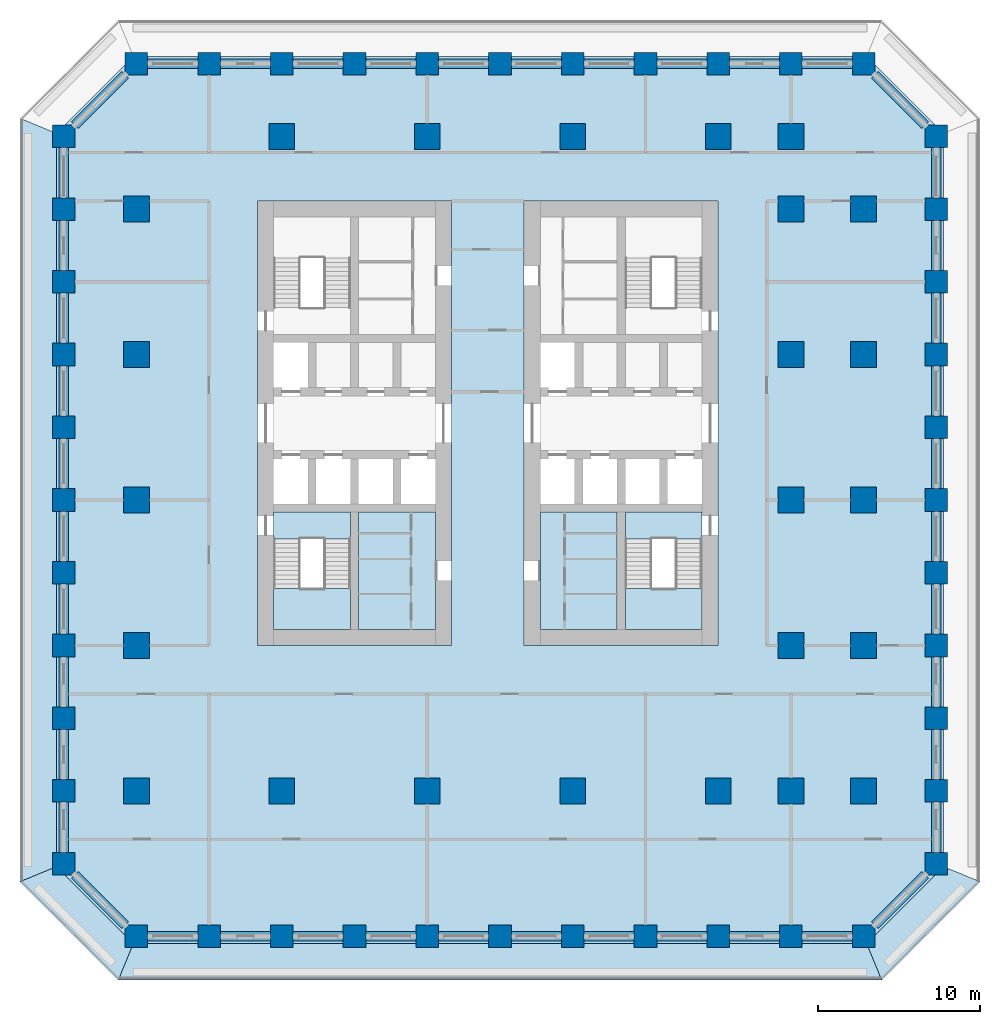
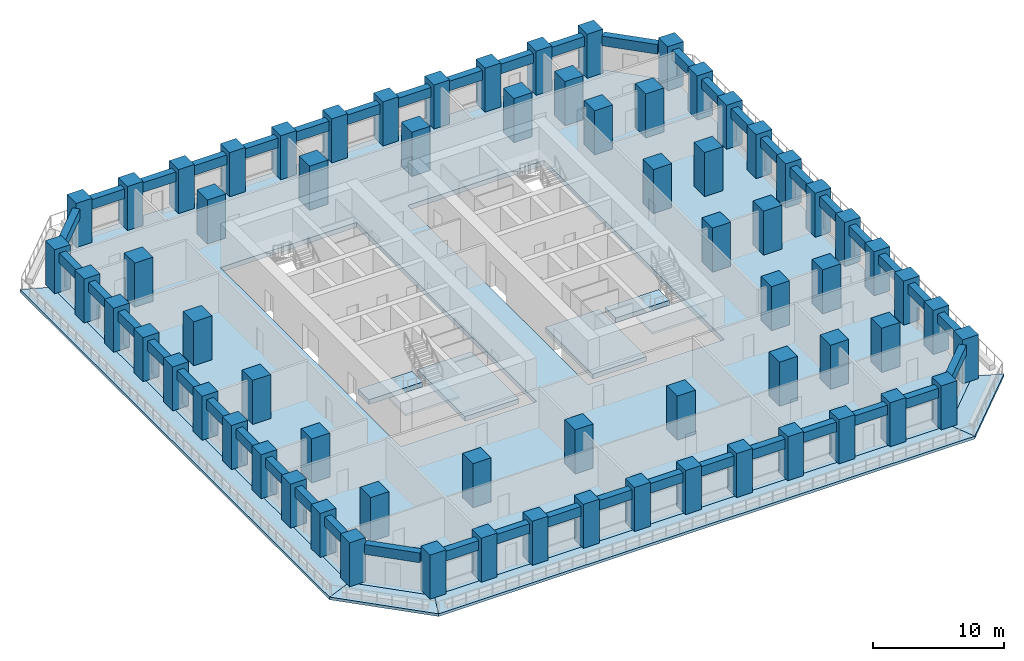
# One storey, part 1 of 11: 68 columns, 44 beams, 11 slabs, 2 elements without a shape of their own.
"""IFC4 building model written with IfcOpenShell, lengths in metres."""

from ifc_helpers import new_model, si_unit, direction, frame, origin, origin_2d, place, context, subcontext, project, spatial, polyline, rectangle, outline, extrude, material, layer, layer_set, material_profile, profile_set, type_object, element, aggregate, save


model = new_model("IFC4")

# Units and contexts
model_context = context("Model", 3, precision=1e-05, world=origin(), true_north=direction((0.0, 1.0)))
body_context = subcontext(model_context, "Body", "Model", "MODEL_VIEW")
ifc_project = project(units=[si_unit("LENGTHUNIT", "METRE"), si_unit("AREAUNIT", "SQUARE_METRE"), si_unit("VOLUMEUNIT", "CUBIC_METRE"), si_unit("PLANEANGLEUNIT", "RADIAN"), si_unit("MASSUNIT", "GRAM", prefix="KILO")], contexts=[model_context])

# Site, building, storey
site_placement = place(None, origin())
site = spatial("IfcSite", under=ifc_project, at=site_placement, CompositionType="ELEMENT")
building_placement = place(site_placement, origin())
building = spatial("IfcBuilding", under=site, at=building_placement, Name="Corbel Stack Research Tower", CompositionType="ELEMENT")
storey_placement = place(building_placement, frame((0.0, 0.0, 54.199951171875)))
storey = spatial("IfcBuildingStorey", under=building, at=storey_placement, Name="L12", CompositionType="ELEMENT", Elevation=54.199951171875)

# Columns
ifc_material_1 = material(Name="Concrete C70/85", Category="concrete")
ifc_material_profile_1 = material_profile(ifc_material_1, rectangle(XDim=1.39990234375, YDim=1.39990234375, at=origin_2d()), Name="RC 1400 x 1400")
ifc_profile_set_1 = profile_set([ifc_material_profile_1], Name="Concrete C70/85")
column_type_1 = type_object("IfcColumnType", Name="C-1400-70", PredefinedType="COLUMN", material=ifc_profile_set_1)
for number, where, z_axis, x_axis, name in (
    (1, (-22.5, -22.5, 0.0), (0.0, 0.0, 1.0), (1.0, 0.0, 0.0), "Column 3/C L12"),
    (2, (-22.5, -18.0, 0.0), (0.0, 0.0, 1.0), (1.0, 0.0, 0.0), "Column 3/D L12"),
    (3, (-22.5, -13.5, 0.0), (0.0, 0.0, 1.0), (1.0, 0.0, 0.0), "Column 3/E L12"),
    (4, (-22.5, -9.0, 0.0), (0.0, 0.0, 1.0), (1.0, 0.0, 0.0), "Column 3/F L12"),
    (5, (-22.5, -4.5, 0.0), (0.0, 0.0, 1.0), (1.0, 0.0, 0.0), "Column 3/G L12"),
    (6, (-22.5, 0.0, 0.0), (0.0, 0.0, 1.0), (1.0, 0.0, 0.0), "Column 3/H L12"),
    (7, (-22.5, 4.5, 0.0), (0.0, 0.0, 1.0), (1.0, 0.0, 0.0), "Column 3/J L12"),
    (8, (-22.5, 9.0, 0.0), (0.0, 0.0, 1.0), (1.0, 0.0, 0.0), "Column 3/K L12"),
    (9, (-22.5, 13.5, 0.0), (0.0, 0.0, 1.0), (1.0, 0.0, 0.0), "Column 3/L L12"),
    (10, (-22.5, 18.0, 0.0), (0.0, 0.0, 1.0), (1.0, 0.0, 0.0), "Column 3/M L12"),
    (11, (-22.5, 22.5, 0.0), (0.0, 0.0, 1.0), (1.0, 0.0, 0.0), "Column 3/N L12"),
    (12, (-18.0, -27.0, 0.0), (0.0, 0.0, 1.0), (1.0, 0.0, 0.0), "Column 4/B L12"),
    (13, (-18.0, 27.0, 0.0), (0.0, 0.0, 1.0), (1.0, 0.0, 0.0), "Column 4/P L12"),
    (14, (-13.5, -27.0, 0.0), (0.0, 0.0, 1.0), (1.0, 0.0, 0.0), "Column 5/B L12"),
    (15, (-13.5, 27.0, 0.0), (0.0, 0.0, 1.0), (1.0, 0.0, 0.0), "Column 5/P L12"),
    (16, (-9.0, -27.0, 0.0), (0.0, 0.0, 1.0), (1.0, 0.0, 0.0), "Column 6/B L12"),
    (17, (-9.0, 27.0, 0.0), (0.0, 0.0, 1.0), (1.0, 0.0, 0.0), "Column 6/P L12"),
    (18, (-4.5, -27.0, 0.0), (0.0, 0.0, 1.0), (1.0, 0.0, 0.0), "Column 7/B L12"),
    (19, (-4.5, 27.0, 0.0), (0.0, 0.0, 1.0), (1.0, 0.0, 0.0), "Column 7/P L12"),
    (20, (0.0, -27.0, 0.0), (0.0, 0.0, 1.0), (1.0, 0.0, 0.0), "Column 8/B L12"),
    (21, (0.0, 27.0, 0.0), (0.0, 0.0, 1.0), (1.0, 0.0, 0.0), "Column 8/P L12"),
    (22, (4.5, -27.0, 0.0), (0.0, 0.0, 1.0), (1.0, 0.0, 0.0), "Column 9/B L12"),
    (23, (4.5, 27.0, 0.0), (0.0, 0.0, 1.0), (1.0, 0.0, 0.0), "Column 9/P L12"),
    (24, (9.0, -27.0, 0.0), (0.0, 0.0, 1.0), (1.0, 0.0, 0.0), "Column 10/B L12"),
    (25, (9.0, 27.0, 0.0), (0.0, 0.0, 1.0), (1.0, 0.0, 0.0), "Column 10/P L12"),
    (26, (13.5, -27.0, 0.0), (0.0, 0.0, 1.0), (1.0, 0.0, 0.0), "Column 11/B L12"),
    (27, (13.5, 27.0, 0.0), (0.0, 0.0, 1.0), (1.0, 0.0, 0.0), "Column 11/P L12"),
    (28, (18.0, -27.0, 0.0), (0.0, 0.0, 1.0), (1.0, 0.0, 0.0), "Column 12/B L12"),
    (29, (18.0, 27.0, 0.0), (0.0, 0.0, 1.0), (1.0, 0.0, 0.0), "Column 12/P L12"),
    (30, (22.5, -27.0, 0.0), (0.0, 0.0, 1.0), (1.0, 0.0, 0.0), "Column 13/B L12"),
    (31, (22.5, 27.0, 0.0), (0.0, 0.0, 1.0), (1.0, 0.0, 0.0), "Column 13/P L12"),
    (32, (27.0, -27.0, 0.0), (0.0, 0.0, 1.0), (1.0, 0.0, 0.0), "Column 14/B L12"),
    (33, (27.0, 27.0, 0.0), (0.0, 0.0, 1.0), (1.0, 0.0, 0.0), "Column 14/P L12"),
    (34, (31.5, -22.5, 0.0), (0.0, 0.0, 1.0), (1.0, 0.0, 0.0), "Column 15/C L12"),
    (35, (31.5, -18.0, 0.0), (0.0, 0.0, 1.0), (1.0, 0.0, 0.0), "Column 15/D L12"),
    (36, (31.5, -13.5, 0.0), (0.0, 0.0, 1.0), (1.0, 0.0, 0.0), "Column 15/E L12"),
    (37, (31.5, -9.0, 0.0), (0.0, 0.0, 1.0), (1.0, 0.0, 0.0), "Column 15/F L12"),
    (38, (31.5, -4.5, 0.0), (0.0, 0.0, 1.0), (1.0, 0.0, 0.0), "Column 15/G L12"),
    (39, (31.5, 0.0, 0.0), (0.0, 0.0, 1.0), (1.0, 0.0, 0.0), "Column 15/H L12"),
    (40, (31.5, 4.5, 0.0), (0.0, 0.0, 1.0), (1.0, 0.0, 0.0), "Column 15/J L12"),
    (41, (31.5, 9.0, 0.0), (0.0, 0.0, 1.0), (1.0, 0.0, 0.0), "Column 15/K L12"),
    (42, (31.5, 13.5, 0.0), (0.0, 0.0, 1.0), (1.0, 0.0, 0.0), "Column 15/L L12"),
    (43, (31.5, 18.0, 0.0), (0.0, 0.0, 1.0), (1.0, 0.0, 0.0), "Column 15/M L12"),
    (44, (31.5, 22.5, 0.0), (0.0, 0.0, 1.0), (1.0, 0.0, 0.0), "Column 15/N L12"),
):
    element("IfcColumn", number, at=place(storey_placement, frame(where, z_axis=z_axis, x_axis=x_axis)), inside=storey, type_object=column_type_1, Name=name, PredefinedType="COLUMN", context=body_context, shape_type="SweptSolid", body=[
        extrude(rectangle(XDim=1.39990234375, YDim=1.39990234375, at=origin_2d()), origin(), (0.0, 0.0, 1.0), 4.10009765625),
    ])
ifc_material_2 = material(Name="Concrete C70/85", Category="concrete")
ifc_material_profile_2 = material_profile(ifc_material_2, rectangle(XDim=1.60009765625, YDim=1.60009765625, at=origin_2d()), Name="RC 1600 x 1600")
ifc_profile_set_2 = profile_set([ifc_material_profile_2], Name="Concrete C70/85")
column_type_2 = type_object("IfcColumnType", Name="C-1600-70", PredefinedType="COLUMN", material=ifc_profile_set_2)
for number, where, z_axis, x_axis, name in (
    (45, (-18.0, -18.0, 0.0), (0.0, 0.0, 1.0), (1.0, 0.0, 0.0), "Column 4/D L12"),
    (46, (-18.0, -9.0, 0.0), (0.0, 0.0, 1.0), (1.0, 0.0, 0.0), "Column 4/F L12"),
    (47, (-18.0, 0.0, 0.0), (0.0, 0.0, 1.0), (1.0, 0.0, 0.0), "Column 4/H L12"),
    (48, (-18.0, 9.0, 0.0), (0.0, 0.0, 1.0), (1.0, 0.0, 0.0), "Column 4/K L12"),
    (49, (-18.0, 18.0, 0.0), (0.0, 0.0, 1.0), (1.0, 0.0, 0.0), "Column 4/M L12"),
    (50, (-9.0, -18.0, 0.0), (0.0, 0.0, 1.0), (1.0, 0.0, 0.0), "Column 6/D L12"),
    (51, (-9.0, 22.5, 0.0), (0.0, 0.0, 1.0), (1.0, 0.0, 0.0), "Column 6/N L12"),
    (52, (0.0, -18.0, 0.0), (0.0, 0.0, 1.0), (1.0, 0.0, 0.0), "Column 8/D L12"),
    (53, (0.0, 22.5, 0.0), (0.0, 0.0, 1.0), (1.0, 0.0, 0.0), "Column 8/N L12"),
    (54, (9.0, -18.0, 0.0), (0.0, 0.0, 1.0), (1.0, 0.0, 0.0), "Column 10/D L12"),
    (55, (9.0, 22.5, 0.0), (0.0, 0.0, 1.0), (1.0, 0.0, 0.0), "Column 10/N L12"),
    (56, (18.0, -18.0, 0.0), (0.0, 0.0, 1.0), (1.0, 0.0, 0.0), "Column 12/D L12"),
    (57, (18.0, 22.5, 0.0), (0.0, 0.0, 1.0), (1.0, 0.0, 0.0), "Column 12/N L12"),
    (58, (22.5, -18.0, 0.0), (0.0, 0.0, 1.0), (1.0, 0.0, 0.0), "Column 13/D L12"),
    (59, (22.5, -9.0, 0.0), (0.0, 0.0, 1.0), (1.0, 0.0, 0.0), "Column 13/F L12"),
    (60, (22.5, 0.0, 0.0), (0.0, 0.0, 1.0), (1.0, 0.0, 0.0), "Column 13/H L12"),
    (61, (22.5, 9.0, 0.0), (0.0, 0.0, 1.0), (1.0, 0.0, 0.0), "Column 13/K L12"),
    (62, (22.5, 18.0, 0.0), (0.0, 0.0, 1.0), (1.0, 0.0, 0.0), "Column 13/M L12"),
    (63, (22.5, 22.5, 0.0), (0.0, 0.0, 1.0), (1.0, 0.0, 0.0), "Column 13/N L12"),
    (64, (27.0, -18.0, 0.0), (0.0, 0.0, 1.0), (1.0, 0.0, 0.0), "Column 14/D L12"),
    (65, (27.0, -9.0, 0.0), (0.0, 0.0, 1.0), (1.0, 0.0, 0.0), "Column 14/F L12"),
    (66, (27.0, 0.0, 0.0), (0.0, 0.0, 1.0), (1.0, 0.0, 0.0), "Column 14/H L12"),
    (67, (27.0, 9.0, 0.0), (0.0, 0.0, 1.0), (1.0, 0.0, 0.0), "Column 14/K L12"),
    (68, (27.0, 18.0, 0.0), (0.0, 0.0, 1.0), (1.0, 0.0, 0.0), "Column 14/M L12"),
):
    element("IfcColumn", number, at=place(storey_placement, frame(where, z_axis=z_axis, x_axis=x_axis)), inside=storey, type_object=column_type_2, Name=name, PredefinedType="COLUMN", context=body_context, shape_type="SweptSolid", body=[
        extrude(rectangle(XDim=1.60009765625, YDim=1.60009765625, at=origin_2d()), origin(), (0.0, 0.0, 1.0), 4.10009765625),
    ])

# Beams
ifc_material_3 = material(Name="Concrete C60/75", Category="concrete")
ifc_material_profile_3 = material_profile(ifc_material_3, rectangle(XDim=0.60009765625, YDim=0.89990234375, at=origin_2d()), Name="RC 600 x 900")
ifc_profile_set_3 = profile_set([ifc_material_profile_3], Name="Concrete C60/75")
beam_type = type_object("IfcBeamType", Name="SB-600-900-450", PredefinedType="SPANDREL", material=ifc_profile_set_3)
for number, where, z_axis, x_axis, name in (
    (69, (-17.300048828125, -27.0, 3.199951171875), (1.0, 0.0, 0.0), (0.0, 1.0, 0.0), "Spandrel beam L12-01"),
    (70, (-12.800048828125, -27.0, 3.199951171875), (1.0, 0.0, 0.0), (0.0, 1.0, 0.0), "Spandrel beam L12-02"),
    (71, (-8.300048828125, -27.0, 3.199951171875), (1.0, 0.0, 0.0), (0.0, 1.0, 0.0), "Spandrel beam L12-03"),
    (72, (-3.800048828125, -27.0, 3.199951171875), (1.0, 0.0, 0.0), (0.0, 1.0, 0.0), "Spandrel beam L12-04"),
    (73, (0.699951171875, -27.0, 3.199951171875), (1.0, 0.0, 0.0), (0.0, 1.0, 0.0), "Spandrel beam L12-05"),
    (74, (5.199951171875, -27.0, 3.199951171875), (1.0, 0.0, 0.0), (0.0, 1.0, 0.0), "Spandrel beam L12-06"),
    (75, (9.699951171875, -27.0, 3.199951171875), (1.0, 0.0, 0.0), (0.0, 1.0, 0.0), "Spandrel beam L12-07"),
    (76, (14.199951171875, -27.0, 3.199951171875), (1.0, 0.0, 0.0), (0.0, 1.0, 0.0), "Spandrel beam L12-08"),
    (77, (18.699951171875, -27.0, 3.199951171875), (1.0, 0.0, 0.0), (0.0, 1.0, 0.0), "Spandrel beam L12-09"),
    (78, (23.199951171875, -27.0, 3.199951171875), (1.0, 0.0, 0.0), (0.0, 1.0, 0.0), "Spandrel beam L12-10"),
):
    element("IfcBeam", number, at=place(storey_placement, frame(where, z_axis=z_axis, x_axis=x_axis)), inside=storey, type_object=beam_type, Name=name, PredefinedType="SPANDREL", context=body_context, shape_type="SweptSolid", body=[
        extrude(rectangle(XDim=0.60009765625, YDim=0.89990234375, at=origin_2d()), origin(), (0.0, 0.0, 1.0), 3.10009765625),
    ])
beam_1_placement = place(storey_placement, frame((27.699951171875, -26.300048828125, 3.199951171875), z_axis=(0.707106781187, 0.707106781187, 0.0), x_axis=(-0.707106781187, 0.707106781187, 0.0)))
element("IfcBeam", 79, at=beam_1_placement, inside=storey, type_object=beam_type, Name="Spandrel beam L12-11", PredefinedType="SPANDREL", context=body_context, shape_type="SweptSolid", body=[
    extrude(rectangle(XDim=0.60009765625, YDim=0.89990234375, at=origin_2d()), origin(), (0.0, 0.0, 1.0), 4.38427734375),
])
for number, where, z_axis, x_axis, name in (
    (80, (31.5, -21.800048828125, 3.199951171875), (0.0, 1.0, 0.0), (-1.0, 0.0, 0.0), "Spandrel beam L12-12"),
    (81, (31.5, -17.300048828125, 3.199951171875), (0.0, 1.0, 0.0), (-1.0, 0.0, 0.0), "Spandrel beam L12-13"),
    (82, (31.5, -12.800048828125, 3.199951171875), (0.0, 1.0, 0.0), (-1.0, 0.0, 0.0), "Spandrel beam L12-14"),
    (83, (31.5, -8.300048828125, 3.199951171875), (0.0, 1.0, 0.0), (-1.0, 0.0, 0.0), "Spandrel beam L12-15"),
    (84, (31.5, -3.800048828125, 3.199951171875), (0.0, 1.0, 0.0), (-1.0, 0.0, 0.0), "Spandrel beam L12-16"),
    (85, (31.5, 0.699951171875, 3.199951171875), (0.0, 1.0, 0.0), (-1.0, 0.0, 0.0), "Spandrel beam L12-17"),
    (86, (31.5, 5.199951171875, 3.199951171875), (0.0, 1.0, 0.0), (-1.0, 0.0, 0.0), "Spandrel beam L12-18"),
    (87, (31.5, 9.699951171875, 3.199951171875), (0.0, 1.0, 0.0), (-1.0, 0.0, 0.0), "Spandrel beam L12-19"),
    (88, (31.5, 14.199951171875, 3.199951171875), (0.0, 1.0, 0.0), (-1.0, 0.0, 0.0), "Spandrel beam L12-20"),
    (89, (31.5, 18.699951171875, 3.199951171875), (0.0, 1.0, 0.0), (-1.0, 0.0, 0.0), "Spandrel beam L12-21"),
):
    element("IfcBeam", number, at=place(storey_placement, frame(where, z_axis=z_axis, x_axis=x_axis)), inside=storey, type_object=beam_type, Name=name, PredefinedType="SPANDREL", context=body_context, shape_type="SweptSolid", body=[
        extrude(rectangle(XDim=0.60009765625, YDim=0.89990234375, at=origin_2d()), origin(), (0.0, 0.0, 1.0), 3.10009765625),
    ])
beam_2_placement = place(storey_placement, frame((30.800048828125, 23.199951171875, 3.199951171875), z_axis=(-0.707106781187, 0.707106781187, 0.0), x_axis=(-0.707106781187, -0.707106781187, 0.0)))
element("IfcBeam", 90, at=beam_2_placement, inside=storey, type_object=beam_type, Name="Spandrel beam L12-22", PredefinedType="SPANDREL", context=body_context, shape_type="SweptSolid", body=[
    extrude(rectangle(XDim=0.60009765625, YDim=0.89990234375, at=origin_2d()), origin(), (0.0, 0.0, 1.0), 4.38427734375),
])
for number, where, z_axis, x_axis, name in (
    (91, (26.300048828125, 27.0, 3.199951171875), (-1.0, 0.0, 0.0), (0.0, -1.0, 0.0), "Spandrel beam L12-23"),
    (92, (21.800048828125, 27.0, 3.199951171875), (-1.0, 0.0, 0.0), (0.0, -1.0, 0.0), "Spandrel beam L12-24"),
    (93, (17.300048828125, 27.0, 3.199951171875), (-1.0, 0.0, 0.0), (0.0, -1.0, 0.0), "Spandrel beam L12-25"),
    (94, (12.800048828125, 27.0, 3.199951171875), (-1.0, 0.0, 0.0), (0.0, -1.0, 0.0), "Spandrel beam L12-26"),
    (95, (8.300048828125, 27.0, 3.199951171875), (-1.0, 0.0, 0.0), (0.0, -1.0, 0.0), "Spandrel beam L12-27"),
    (96, (3.800048828125, 27.0, 3.199951171875), (-1.0, 0.0, 0.0), (0.0, -1.0, 0.0), "Spandrel beam L12-28"),
    (97, (-0.699951171875, 27.0, 3.199951171875), (-1.0, 0.0, 0.0), (0.0, -1.0, 0.0), "Spandrel beam L12-29"),
    (98, (-5.199951171875, 27.0, 3.199951171875), (-1.0, 0.0, 0.0), (0.0, -1.0, 0.0), "Spandrel beam L12-30"),
    (99, (-9.699951171875, 27.0, 3.199951171875), (-1.0, 0.0, 0.0), (0.0, -1.0, 0.0), "Spandrel beam L12-31"),
    (100, (-14.199951171875, 27.0, 3.199951171875), (-1.0, 0.0, 0.0), (0.0, -1.0, 0.0), "Spandrel beam L12-32"),
):
    element("IfcBeam", number, at=place(storey_placement, frame(where, z_axis=z_axis, x_axis=x_axis)), inside=storey, type_object=beam_type, Name=name, PredefinedType="SPANDREL", context=body_context, shape_type="SweptSolid", body=[
        extrude(rectangle(XDim=0.60009765625, YDim=0.89990234375, at=origin_2d()), origin(), (0.0, 0.0, 1.0), 3.10009765625),
    ])
beam_3_placement = place(storey_placement, frame((-18.699951171875, 26.300048828125, 3.199951171875), z_axis=(-0.707106781187, -0.707106781187, 0.0), x_axis=(0.707106781187, -0.707106781187, 0.0)))
element("IfcBeam", 101, at=beam_3_placement, inside=storey, type_object=beam_type, Name="Spandrel beam L12-33", PredefinedType="SPANDREL", context=body_context, shape_type="SweptSolid", body=[
    extrude(rectangle(XDim=0.60009765625, YDim=0.89990234375, at=origin_2d()), origin(), (0.0, 0.0, 1.0), 4.38427734375),
])
for number, where, z_axis, x_axis, name in (
    (102, (-22.5, 21.800048828125, 3.199951171875), (0.0, -1.0, 0.0), (1.0, 0.0, 0.0), "Spandrel beam L12-34"),
    (103, (-22.5, 17.300048828125, 3.199951171875), (0.0, -1.0, 0.0), (1.0, 0.0, 0.0), "Spandrel beam L12-35"),
    (104, (-22.5, 12.800048828125, 3.199951171875), (0.0, -1.0, 0.0), (1.0, 0.0, 0.0), "Spandrel beam L12-36"),
    (105, (-22.5, 8.300048828125, 3.199951171875), (0.0, -1.0, 0.0), (1.0, 0.0, 0.0), "Spandrel beam L12-37"),
    (106, (-22.5, 3.800048828125, 3.199951171875), (0.0, -1.0, 0.0), (1.0, 0.0, 0.0), "Spandrel beam L12-38"),
    (107, (-22.5, -0.699951171875, 3.199951171875), (0.0, -1.0, 0.0), (1.0, 0.0, 0.0), "Spandrel beam L12-39"),
    (108, (-22.5, -5.199951171875, 3.199951171875), (0.0, -1.0, 0.0), (1.0, 0.0, 0.0), "Spandrel beam L12-40"),
    (109, (-22.5, -9.699951171875, 3.199951171875), (0.0, -1.0, 0.0), (1.0, 0.0, 0.0), "Spandrel beam L12-41"),
    (110, (-22.5, -14.199951171875, 3.199951171875), (0.0, -1.0, 0.0), (1.0, 0.0, 0.0), "Spandrel beam L12-42"),
    (111, (-22.5, -18.699951171875, 3.199951171875), (0.0, -1.0, 0.0), (1.0, 0.0, 0.0), "Spandrel beam L12-43"),
):
    element("IfcBeam", number, at=place(storey_placement, frame(where, z_axis=z_axis, x_axis=x_axis)), inside=storey, type_object=beam_type, Name=name, PredefinedType="SPANDREL", context=body_context, shape_type="SweptSolid", body=[
        extrude(rectangle(XDim=0.60009765625, YDim=0.89990234375, at=origin_2d()), origin(), (0.0, 0.0, 1.0), 3.10009765625),
    ])
beam_4_placement = place(storey_placement, frame((-21.800048828125, -23.199951171875, 3.199951171875), z_axis=(0.707106781187, -0.707106781187, 0.0), x_axis=(0.707106781187, 0.707106781187, 0.0)))
element("IfcBeam", 112, at=beam_4_placement, inside=storey, type_object=beam_type, Name="Spandrel beam L12-44", PredefinedType="SPANDREL", context=body_context, shape_type="SweptSolid", body=[
    extrude(rectangle(XDim=0.60009765625, YDim=0.89990234375, at=origin_2d()), origin(), (0.0, 0.0, 1.0), 4.38427734375),
])

# Slabs
ifc_material_4 = material(Name="Concrete C45/55", Category="concrete")
ifc_layer_1 = layer(ifc_material_4, 0.25)
ifc_layer_set_1 = layer_set([ifc_layer_1], Name="Concrete C45/55")
slab_type_1 = type_object("IfcSlabType", Name="PT balcony slab 250 C45/55", PredefinedType="FLOOR", material=ifc_layer_set_1)
slab_1_placement = place(storey_placement, frame((0.0, 0.0, -0.25)))
element("IfcSlab", 113, at=slab_1_placement, inside=storey, type_object=slab_type_1, Name="Loggia slab L12 S", PredefinedType="FLOOR", context=body_context, shape_type="SweptSolid", body=[
    extrude(outline(polyline([(27.289794921875, -27.699951171875), (26.300048828125, -27.699951171875), (26.300048828125, -27.449951171875), (23.199951171875, -27.449951171875), (23.199951171875, -27.699951171875), (21.800048828125, -27.699951171875), (21.800048828125, -27.449951171875), (18.699951171875, -27.449951171875), (18.699951171875, -27.699951171875), (17.300048828125, -27.699951171875), (17.300048828125, -27.449951171875), (14.199951171875, -27.449951171875), (14.199951171875, -27.699951171875), (12.800048828125, -27.699951171875), (12.800048828125, -27.449951171875), (9.699951171875, -27.449951171875), (9.699951171875, -27.699951171875), (8.300048828125, -27.699951171875), (8.300048828125, -27.449951171875), (5.199951171875, -27.449951171875), (5.199951171875, -27.699951171875), (3.800048828125, -27.699951171875), (3.800048828125, -27.449951171875), (0.699951171875, -27.449951171875), (0.699951171875, -27.699951171875), (-0.699951171875, -27.699951171875), (-0.699951171875, -27.449951171875), (-3.800048828125, -27.449951171875), (-3.800048828125, -27.699951171875), (-5.199951171875, -27.699951171875), (-5.199951171875, -27.449951171875), (-8.300048828125, -27.449951171875), (-8.300048828125, -27.699951171875), (-9.699951171875, -27.699951171875), (-9.699951171875, -27.449951171875), (-12.800048828125, -27.449951171875), (-12.800048828125, -27.699951171875), (-14.199951171875, -27.699951171875), (-14.199951171875, -27.449951171875), (-17.300048828125, -27.449951171875), (-17.300048828125, -27.699951171875), (-18.289794921875, -27.699951171875), (-19.118408203125, -29.699951171875), (28.118408203125, -29.699951171875), (27.289794921875, -27.699951171875)])), origin(), (0.0, 0.0, 1.0), 0.25),
])
slab_2_placement = place(storey_placement, frame((0.0, 0.0, -0.25)))
element("IfcSlab", 114, at=slab_2_placement, inside=storey, type_object=slab_type_1, Name="Loggia slab L12 SE", PredefinedType="FLOOR", context=body_context, shape_type="SweptSolid", body=[
    extrude(outline(polyline([(32.199951171875, -22.789794921875), (32.199951171875, -23.199951171875), (31.436279296875, -23.199951171875), (27.699951171875, -26.936279296875), (27.699951171875, -27.699951171875), (27.289794921875, -27.699951171875), (28.118408203125, -29.699951171875), (34.199951171875, -23.618408203125), (32.199951171875, -22.789794921875)])), origin(), (0.0, 0.0, 1.0), 0.25),
])
slab_3_placement = place(storey_placement, frame((0.0, 0.0, -0.25)))
element("IfcSlab", 115, at=slab_3_placement, inside=storey, type_object=slab_type_1, Name="Loggia slab L12 W", PredefinedType="FLOOR", context=body_context, shape_type="SweptSolid", body=[
    extrude(outline(polyline([(-23.199951171875, -22.789794921875), (-23.199951171875, -21.800048828125), (-22.949951171875, -21.800048828125), (-22.949951171875, -18.699951171875), (-23.199951171875, -18.699951171875), (-23.199951171875, -17.300048828125), (-22.949951171875, -17.300048828125), (-22.949951171875, -14.199951171875), (-23.199951171875, -14.199951171875), (-23.199951171875, -12.800048828125), (-22.949951171875, -12.800048828125), (-22.949951171875, -9.699951171875), (-23.199951171875, -9.699951171875), (-23.199951171875, -8.300048828125), (-22.949951171875, -8.300048828125), (-22.949951171875, -5.199951171875), (-23.199951171875, -5.199951171875), (-23.199951171875, -3.800048828125), (-22.949951171875, -3.800048828125), (-22.949951171875, -0.699951171875), (-23.199951171875, -0.699951171875), (-23.199951171875, 0.699951171875), (-22.949951171875, 0.699951171875), (-22.949951171875, 3.800048828125), (-23.199951171875, 3.800048828125), (-23.199951171875, 5.199951171875), (-22.949951171875, 5.199951171875), (-22.949951171875, 8.300048828125), (-23.199951171875, 8.300048828125), (-23.199951171875, 9.699951171875), (-22.949951171875, 9.699951171875), (-22.949951171875, 12.800048828125), (-23.199951171875, 12.800048828125), (-23.199951171875, 14.199951171875), (-22.949951171875, 14.199951171875), (-22.949951171875, 17.300048828125), (-23.199951171875, 17.300048828125), (-23.199951171875, 18.699951171875), (-22.949951171875, 18.699951171875), (-22.949951171875, 21.800048828125), (-23.199951171875, 21.800048828125), (-23.199951171875, 22.789794921875), (-25.199951171875, 23.618408203125), (-25.199951171875, -23.618408203125), (-23.199951171875, -22.789794921875)])), origin(), (0.0, 0.0, 1.0), 0.25),
])
slab_4_placement = place(storey_placement, frame((0.0, 0.0, -0.25)))
element("IfcSlab", 116, at=slab_4_placement, inside=storey, type_object=slab_type_1, Name="Loggia slab L12 SW", PredefinedType="FLOOR", context=body_context, shape_type="SweptSolid", body=[
    extrude(outline(polyline([(-18.289794921875, -27.699951171875), (-18.699951171875, -27.699951171875), (-18.699951171875, -26.936279296875), (-22.436279296875, -23.199951171875), (-23.199951171875, -23.199951171875), (-23.199951171875, -22.789794921875), (-25.199951171875, -23.618408203125), (-19.118408203125, -29.699951171875), (-18.289794921875, -27.699951171875)])), origin(), (0.0, 0.0, 1.0), 0.25),
])
ifc_material_5 = material(Name="Concrete C45/55", Category="concrete")
ifc_layer_2 = layer(ifc_material_5, 0.449951171875)
ifc_layer_set_2 = layer_set([ifc_layer_2], Name="Concrete C45/55")
slab_type_2 = type_object("IfcSlabType", Name="PT-450", PredefinedType="FLOOR", material=ifc_layer_set_2)
slab_5_placement = place(storey_placement, frame((0.0, 0.0, -0.449951171875)))
element("IfcSlab", 117, at=slab_5_placement, inside=storey, type_object=slab_type_2, Name="Floor slab L12", PredefinedType="FLOOR", context=body_context, shape_type="SweptSolid", body=[
    extrude(outline(polyline([(-18.186279296875, -27.449951171875), (27.186279296875, -27.449951171875), (31.949951171875, -22.686279296875), (31.949951171875, 22.686279296875), (27.186279296875, 27.449951171875), (-18.186279296875, 27.449951171875), (-22.949951171875, 22.686279296875), (-22.949951171875, -22.686279296875), (-18.186279296875, -27.449951171875)]), holes=[polyline([(26.199951171875, 17.199951171875), (26.199951171875, 18.800048828125), (27.800048828125, 18.800048828125), (27.800048828125, 17.199951171875), (26.199951171875, 17.199951171875)]), polyline([(26.199951171875, 8.199951171875), (26.199951171875, 9.800048828125), (27.800048828125, 9.800048828125), (27.800048828125, 8.199951171875), (26.199951171875, 8.199951171875)]), polyline([(27.800048828125, -0.800048828125), (26.199951171875, -0.800048828125), (26.199951171875, 0.800048828125), (27.800048828125, 0.800048828125), (27.800048828125, -0.800048828125)]), polyline([(26.199951171875, -9.800048828125), (26.199951171875, -8.199951171875), (27.800048828125, -8.199951171875), (27.800048828125, -9.800048828125), (26.199951171875, -9.800048828125)]), polyline([(26.199951171875, -18.800048828125), (26.199951171875, -17.199951171875), (27.800048828125, -17.199951171875), (27.800048828125, -18.800048828125), (26.199951171875, -18.800048828125)]), polyline([(21.699951171875, 21.699951171875), (21.699951171875, 23.300048828125), (23.300048828125, 23.300048828125), (23.300048828125, 21.699951171875), (21.699951171875, 21.699951171875)]), polyline([(21.699951171875, 17.199951171875), (21.699951171875, 18.800048828125), (23.300048828125, 18.800048828125), (23.300048828125, 17.199951171875), (21.699951171875, 17.199951171875)]), polyline([(21.699951171875, 8.199951171875), (21.699951171875, 9.800048828125), (23.300048828125, 9.800048828125), (23.300048828125, 8.199951171875), (21.699951171875, 8.199951171875)]), polyline([(21.699951171875, -0.800048828125), (21.699951171875, 0.800048828125), (23.300048828125, 0.800048828125), (23.300048828125, -0.800048828125), (21.699951171875, -0.800048828125)]), polyline([(23.300048828125, -9.800048828125), (21.699951171875, -9.800048828125), (21.699951171875, -8.199951171875), (23.300048828125, -8.199951171875), (23.300048828125, -9.800048828125)]), polyline([(21.699951171875, -18.800048828125), (21.699951171875, -17.199951171875), (23.300048828125, -17.199951171875), (23.300048828125, -18.800048828125), (21.699951171875, -18.800048828125)]), polyline([(17.199951171875, 21.699951171875), (17.199951171875, 23.300048828125), (18.800048828125, 23.300048828125), (18.800048828125, 21.699951171875), (17.199951171875, 21.699951171875)]), polyline([(18.800048828125, -18.800048828125), (17.199951171875, -18.800048828125), (17.199951171875, -17.199951171875), (18.800048828125, -17.199951171875), (18.800048828125, -18.800048828125)]), polyline([(6.0, -9.0), (6.0, 18.5), (18.0, 18.5), (18.0, -9.0), (6.0, -9.0)]), polyline([(8.199951171875, 21.699951171875), (8.199951171875, 23.300048828125), (9.800048828125, 23.300048828125), (9.800048828125, 21.699951171875), (8.199951171875, 21.699951171875)]), polyline([(9.800048828125, -18.800048828125), (8.199951171875, -18.800048828125), (8.199951171875, -17.199951171875), (9.800048828125, -17.199951171875), (9.800048828125, -18.800048828125)]), polyline([(1.5, -9.0), (-10.5, -9.0), (-10.5, 18.5), (1.5, 18.5), (1.5, -9.0)]), polyline([(-0.800048828125, 21.699951171875), (-0.800048828125, 23.300048828125), (0.800048828125, 23.300048828125), (0.800048828125, 21.699951171875), (-0.800048828125, 21.699951171875)]), polyline([(-0.800048828125, -18.800048828125), (-0.800048828125, -17.199951171875), (0.800048828125, -17.199951171875), (0.800048828125, -18.800048828125), (-0.800048828125, -18.800048828125)]), polyline([(-9.800048828125, 21.699951171875), (-9.800048828125, 23.300048828125), (-8.199951171875, 23.300048828125), (-8.199951171875, 21.699951171875), (-9.800048828125, 21.699951171875)]), polyline([(-9.800048828125, -18.800048828125), (-9.800048828125, -17.199951171875), (-8.199951171875, -17.199951171875), (-8.199951171875, -18.800048828125), (-9.800048828125, -18.800048828125)]), polyline([(-18.800048828125, 17.199951171875), (-18.800048828125, 18.800048828125), (-17.199951171875, 18.800048828125), (-17.199951171875, 17.199951171875), (-18.800048828125, 17.199951171875)]), polyline([(-18.800048828125, 8.199951171875), (-18.800048828125, 9.800048828125), (-17.199951171875, 9.800048828125), (-17.199951171875, 8.199951171875), (-18.800048828125, 8.199951171875)]), polyline([(-18.800048828125, -0.800048828125), (-18.800048828125, 0.800048828125), (-17.199951171875, 0.800048828125), (-17.199951171875, -0.800048828125), (-18.800048828125, -0.800048828125)]), polyline([(-18.800048828125, -9.800048828125), (-18.800048828125, -8.199951171875), (-17.199951171875, -8.199951171875), (-17.199951171875, -9.800048828125), (-18.800048828125, -9.800048828125)]), polyline([(-17.199951171875, -18.800048828125), (-18.800048828125, -18.800048828125), (-18.800048828125, -17.199951171875), (-17.199951171875, -17.199951171875), (-17.199951171875, -18.800048828125)])]), origin(), (0.0, 0.0, 1.0), 0.449951171875),
])
slab_6_placement = place(storey_placement, frame((0.0, 0.0, -0.449951171875)))
element("IfcSlab", 118, at=slab_6_placement, inside=storey, type_object=slab_type_2, Name="West core floor L12", PredefinedType="FLOOR", context=body_context, shape_type="SweptSolid", body=[
    extrude(outline(polyline([(-4.25, -0.75), (-4.25, -8.0), (0.5, -8.0), (0.5, -0.75), (-4.25, -0.75)])), origin(), (0.0, 0.0, 1.0), 0.449951171875),
])
slab_7_placement = place(storey_placement, frame((0.0, 0.0, -0.449951171875)))
element("IfcSlab", 119, at=slab_7_placement, inside=storey, type_object=slab_type_2, Name="East core floor L12", PredefinedType="FLOOR", context=body_context, shape_type="SweptSolid", body=[
    extrude(outline(polyline([(7.0, -0.75), (7.0, -8.0), (11.75, -8.0), (11.75, -0.75), (7.0, -0.75)])), origin(), (0.0, 0.0, 1.0), 0.449951171875),
])
slab_8_placement = place(storey_placement, frame((0.0, 0.0, -0.449951171875)))
element("IfcSlab", 120, at=slab_8_placement, inside=storey, type_object=slab_type_2, Name="Stair floor landing ST-W1", PredefinedType="FLOOR", context=body_context, shape_type="SweptSolid", body=[
    extrude(outline(polyline([(-9.5, -2.39990234375), (-4.75, -2.39990234375), (-4.75, -0.75), (-9.5, -0.75), (-9.5, -2.39990234375)])), origin(), (0.0, 0.0, 1.0), 0.449951171875),
])
slab_9_placement = place(storey_placement, frame((0.0, 0.0, -0.449951171875)))
element("IfcSlab", 121, at=slab_9_placement, inside=storey, type_object=slab_type_2, Name="Stair floor landing ST-E1", PredefinedType="FLOOR", context=body_context, shape_type="SweptSolid", body=[
    extrude(outline(polyline([(12.25, -2.39990234375), (17.0, -2.39990234375), (17.0, -0.75), (12.25, -0.75), (12.25, -2.39990234375)])), origin(), (0.0, 0.0, 1.0), 0.449951171875),
])

# Stair, slab
ifc_material_6 = material(Name="Concrete C40/50", Category="concrete")
stair_type = type_object("IfcStairType", Name="Exit stair 24 risers", PredefinedType="HALF_TURN_STAIR", material=ifc_material_6)
stair_1_placement = place(storey_placement, origin())
stair_1 = element("IfcStair", 122, at=stair_1_placement, inside=storey, type_object=stair_type, Name="L12 Exit stair ST-W1", PredefinedType="HALF_TURN_STAIR")
ifc_material_7 = material(Name="Concrete C40/50", Category="concrete")
ifc_layer_3 = layer(ifc_material_7, 0.199951171875)
ifc_layer_set_3 = layer_set([ifc_layer_3], Name="Concrete C40/50")
slab_type_3 = type_object("IfcSlabType", Name="Stair landing 200 C40/50", PredefinedType="LANDING", material=ifc_layer_set_3)
slab_10_placement = place(storey_placement, frame((0.0, 0.0, 1.85009765625)))
slab_10 = element("IfcSlab", 123, at=slab_10_placement, type_object=slab_type_3, Name="ST-W1 landing 1", PredefinedType="LANDING", context=body_context, shape_type="SweptSolid", body=[
    extrude(outline(polyline([(-9.5, -8.0), (-9.5, -5.47998046875), (-4.75, -5.47998046875), (-4.75, -8.0), (-9.5, -8.0)])), origin(), (0.0, 0.0, 1.0), 0.199951171875),
])
aggregate(stair_1, [slab_10])

stair_2_placement = place(storey_placement, origin())
stair_2 = element("IfcStair", 124, at=stair_2_placement, inside=storey, type_object=stair_type, Name="L12 Exit stair ST-E1", PredefinedType="HALF_TURN_STAIR")
slab_11_placement = place(storey_placement, frame((0.0, 0.0, 1.85009765625)))
slab_11 = element("IfcSlab", 125, at=slab_11_placement, type_object=slab_type_3, Name="ST-E1 landing 1", PredefinedType="LANDING", context=body_context, shape_type="SweptSolid", body=[
    extrude(outline(polyline([(12.25, -8.0), (12.25, -5.47998046875), (17.0, -5.47998046875), (17.0, -8.0), (12.25, -8.0)])), origin(), (0.0, 0.0, 1.0), 0.199951171875),
])
aggregate(stair_2, [slab_11])

save(model, "model.ifc")
